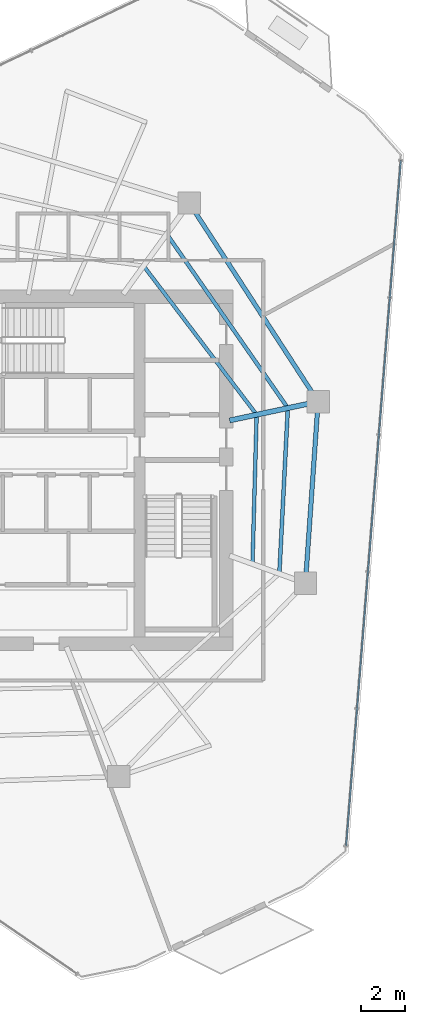
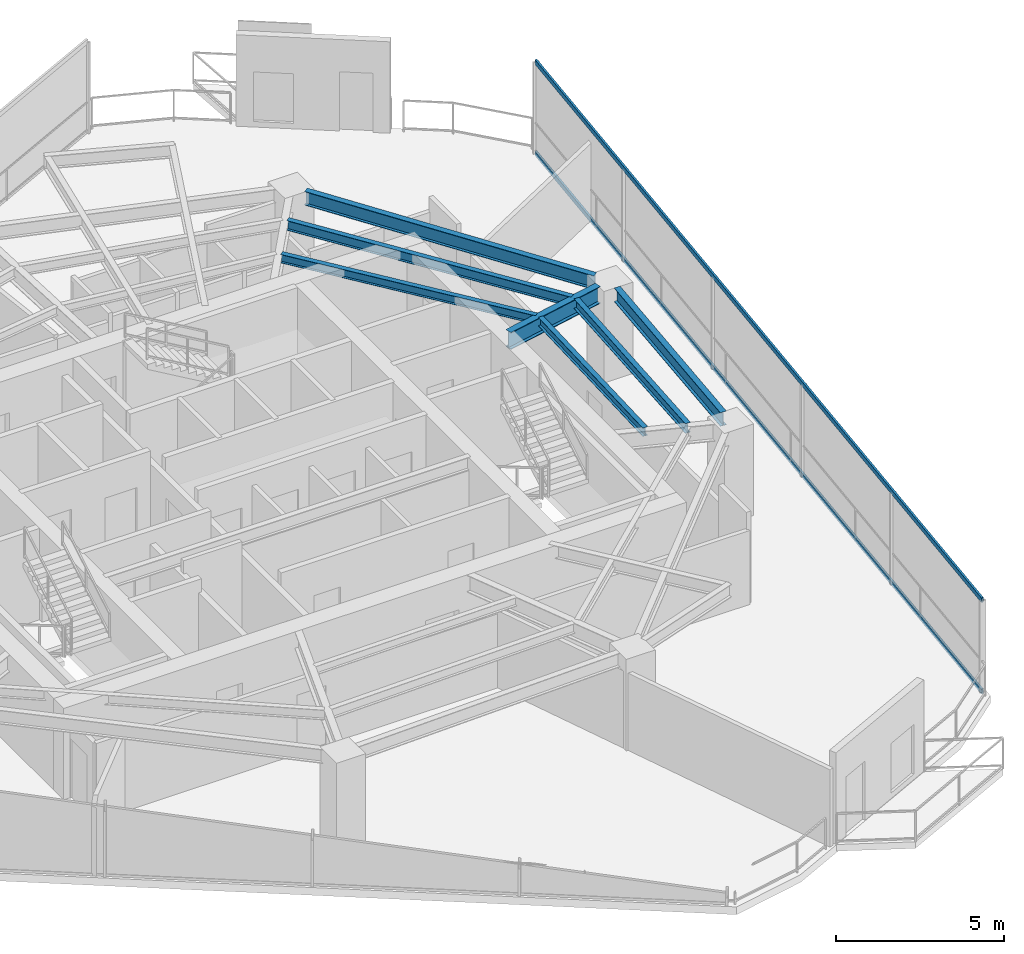
# One storey, part 10 of 21: 7 beams, 2 members, 1 element without a shape of its own.
"""IFC4 building model written with IfcOpenShell, lengths in metres."""

import ifcopenshell
import ifcopenshell.guid

model = None  # the IFC model being written
_history = None  # IfcOwnerHistory: only IFC2X3 demands one
_inside = {}  # id of a spatial element -> (the spatial element, [elements in it])
_under = {}  # id of a project, library or spatial element -> (it, [spatial elements below it])
_declared = {}  # id of a project -> (the project, [libraries it declares])
_typed = {}  # id of a type object -> (the type object, [elements of that type])
_made_of = {}  # id of a material, layer set ... -> (it, [elements and type objects made of it])


def new_model(schema):
    """Start an empty IFC model of exactly this schema.

    Asked for "IFC4X3", IfcOpenShell would pick the latest addendum, in which some entities
    have other attributes; the version numbers below select the first issue.
    IFC2X3 requires an IfcOwnerHistory on every rooted entity: one is made here for all.
    """
    global model, _history
    if schema == "IFC4X3":
        model = ifcopenshell.file(schema_version=(4, 3, 0, 0))
    else:
        model = ifcopenshell.file(schema=schema)
    _inside.clear()
    _under.clear()
    _declared.clear()
    _typed.clear()
    _made_of.clear()
    _history = None
    if model.schema == "IFC2X3":
        org = make("IfcOrganization", Name="unknown")
        user = make(
            "IfcPersonAndOrganization",
            ThePerson=make("IfcPerson", FamilyName="unknown"),
            TheOrganization=org,
        )
        app = make(
            "IfcApplication",
            ApplicationDeveloper=org,
            Version="unknown",
            ApplicationFullName="unknown",
            ApplicationIdentifier="unknown",
        )
        _history = make(
            "IfcOwnerHistory",
            OwningUser=user,
            OwningApplication=app,
            ChangeAction="ADDED",
            CreationDate=0,
        )
    return model


def make(cls, **values):
    """One entity of the class cls with the attributes given. An attribute that is None is left unset."""
    return model.create_entity(
        cls, **{name: value for name, value in values.items() if value is not None}
    )


def rooted(cls, **values):
    """An entity with a GlobalId (a new one), such as an element, a storey or a relation."""
    return make(cls, GlobalId=ifcopenshell.guid.new(), OwnerHistory=_history, **values)


def si_unit(unit_type, name, prefix=None):
    """IfcSIUnit, for example si_unit("LENGTHUNIT", "METRE", prefix="MILLI")."""
    return make("IfcSIUnit", UnitType=unit_type, Prefix=prefix, Name=name)


def assignment(units):
    """IfcUnitAssignment: the units of a project."""
    return None if units is None else make("IfcUnitAssignment", Units=units)


def point(xyz):
    """IfcCartesianPoint."""
    return None if xyz is None else make("IfcCartesianPoint", Coordinates=xyz)


def direction(xyz):
    """IfcDirection."""
    return None if xyz is None else make("IfcDirection", DirectionRatios=xyz)


def frame(location, z_axis=None, x_axis=None):
    """IfcAxis2Placement3D, a coordinate frame: its origin and axes. An axis left out is left unset."""
    return make(
        "IfcAxis2Placement3D",
        Location=point(location),
        Axis=direction(z_axis),
        RefDirection=direction(x_axis),
    )


def frame_2d(location, x_axis=None):
    """IfcAxis2Placement2D, a coordinate frame in the plane: its origin and x axis."""
    return make(
        "IfcAxis2Placement2D", Location=point(location), RefDirection=direction(x_axis)
    )


def origin():
    """The frame at (0, 0, 0) with its axes left unset."""
    return frame((0.0, 0.0, 0.0))


def origin_2d():
    """The frame at (0, 0) in the plane with its x axis left unset."""
    return frame_2d((0.0, 0.0))


def place(relative_to, where):
    """IfcLocalPlacement: puts the frame where relative to a parent placement (None: the world)."""
    return make(
        "IfcLocalPlacement", PlacementRelTo=relative_to, RelativePlacement=where
    )


def context(
    kind, dimensions, precision=None, world=None, true_north=None, identifier=None
):
    """IfcGeometricRepresentationContext, for example the 3D "Model" context."""
    return make(
        "IfcGeometricRepresentationContext",
        ContextIdentifier=identifier,
        ContextType=kind,
        CoordinateSpaceDimension=dimensions,
        Precision=precision,
        WorldCoordinateSystem=world,
        TrueNorth=true_north,
    )


def subcontext(parent, identifier, kind, view, scale=None):
    """IfcGeometricRepresentationSubContext, for example "Body" below "Model"."""
    return make(
        "IfcGeometricRepresentationSubContext",
        ContextIdentifier=identifier,
        ContextType=kind,
        ParentContext=parent,
        TargetScale=scale,
        TargetView=view,
    )


def project(units=None, contexts=None):
    """IfcProject with its units and contexts."""
    return rooted(
        "IfcProject",
        Name="project",
        RepresentationContexts=contexts,
        UnitsInContext=assignment(units),
    )


def spatial(cls, under=None, at=None, **own):
    """A site, building, storey or space (cls), placed at a placement, below another one or the project."""
    s = rooted(cls, ObjectPlacement=at, **own)
    if under is not None:
        _under.setdefault(under.id(), (under, []))[1].append(s)
    return s


def profile(cls, at=None, kind="AREA", **sizes):
    """A parametric profile (cls). Its sizes go by their IFC names, for example OverallWidth=200.0."""
    return make(cls, ProfileType=kind, Position=at, **sizes)


def hollow_rectangle(**sizes):
    """IfcRectangleHollowProfileDef."""
    return profile("IfcRectangleHollowProfileDef", **sizes)


def i_section(**sizes):
    """IfcIShapeProfileDef."""
    return profile("IfcIShapeProfileDef", **sizes)


def extrude(swept, where, along, depth):
    """IfcExtrudedAreaSolid: the profile swept, set in the frame where, extruded along a direction by depth."""
    return make(
        "IfcExtrudedAreaSolid",
        SweptArea=swept,
        Position=where,
        ExtrudedDirection=direction(along),
        Depth=depth,
    )


def shape(context_of_items, identifier, shape_type, items):
    """IfcShapeRepresentation: the items that make up one representation, for example the "Body"."""
    return make(
        "IfcShapeRepresentation",
        ContextOfItems=context_of_items,
        RepresentationIdentifier=identifier,
        RepresentationType=shape_type,
        Items=items,
    )


def material(Name=None, Category=None):
    """IfcMaterial."""
    return make("IfcMaterial", Name=Name, Category=Category)


def layer(
    of_material, thickness, ventilated=None, Name=None, Category=None, Priority=None
):
    """IfcMaterialLayer: one layer of a wall or slab, of a material (None: an air gap)."""
    return make(
        "IfcMaterialLayer",
        Material=of_material,
        LayerThickness=thickness,
        IsVentilated=ventilated,
        Name=Name,
        Category=Category,
        Priority=Priority,
    )


def layer_set(layers, Name=None):
    """IfcMaterialLayerSet."""
    return make("IfcMaterialLayerSet", MaterialLayers=layers, LayerSetName=Name)


def material_profile(
    of_material, cross_section, Name=None, Category=None, Priority=None
):
    """IfcMaterialProfile: a cross section and its material."""
    return make(
        "IfcMaterialProfile",
        Name=Name,
        Material=of_material,
        Profile=cross_section,
        Priority=Priority,
        Category=Category,
    )


def profile_set(profiles, Name=None, composite=None):
    """IfcMaterialProfileSet."""
    return make(
        "IfcMaterialProfileSet",
        Name=Name,
        MaterialProfiles=profiles,
        CompositeProfile=composite,
    )


def made_of(thing, what):
    """Note that an element or type object is made of a material, layer set ...; save() writes the relation."""
    if what is not None:
        _made_of.setdefault(what.id(), (what, []))[1].append(thing)
    return thing


def type_object(cls, material=None, **own):
    """A type object (cls), such as IfcWallType, which elements share."""
    return made_of(rooted(cls, **own), material)


def element(
    cls,
    number,
    at=None,
    inside=None,
    cuts=None,
    type_object=None,
    material=None,
    context=None,
    identifier="Body",
    shape_type=None,
    held_by="IfcProductDefinitionShape",
    body=None,
    shapes=None,
    **own,
):
    """One element of the class cls, such as IfcWall. Its Tag is "e" and its number.

    at: its placement. inside: the storey or other place that contains it. cuts: it is an
    opening in that element (IfcRelVoidsElement). A single representation is given by context,
    identifier, shape_type and body (its items); several are given by shapes. held_by: the class
    of the entity that holds the representations. save() writes the other relations.
    """
    e = rooted(cls, Tag="e%d" % number, ObjectPlacement=at, **own)
    if body is not None:
        shapes = [shape(context, identifier, shape_type, body)]
    if shapes is not None:
        e.Representation = make(held_by, Representations=shapes)
    if inside is not None:
        _inside.setdefault(inside.id(), (inside, []))[1].append(e)
    if cuts is not None:
        rooted(
            "IfcRelVoidsElement", RelatingBuildingElement=cuts, RelatedOpeningElement=e
        )
    if type_object is not None:
        _typed.setdefault(type_object.id(), (type_object, []))[1].append(e)
    return made_of(e, material)


def aggregate(whole, parts):
    """IfcRelAggregates: a whole, such as a stair, and the parts it consists of."""
    return rooted("IfcRelAggregates", RelatingObject=whole, RelatedObjects=parts)


def save(model, path):
    """Write the relations noted so far, then the file.

    IfcRelAggregates (storeys below a building ...), IfcRelContainedInSpatialStructure (elements
    in a storey), IfcRelDefinesByType, IfcRelAssociatesMaterial and IfcRelDeclares: one each for
    every whole, place, type object, material and project.
    """
    for whole, parts in _under.values():
        aggregate(whole, parts)
    for where, things in _inside.values():
        rooted(
            "IfcRelContainedInSpatialStructure",
            RelatedElements=things,
            RelatingStructure=where,
        )
    for kind, things in _typed.values():
        rooted("IfcRelDefinesByType", RelatedObjects=things, RelatingType=kind)
    for what, things in _made_of.values():
        rooted("IfcRelAssociatesMaterial", RelatedObjects=things, RelatingMaterial=what)
    for by, libraries in _declared.values():
        rooted("IfcRelDeclares", RelatingContext=by, RelatedDefinitions=libraries)
    model.write(path)


model = new_model("IFC4")

# Units and contexts
model_context = context("Model", 3, precision=1e-05, world=origin(), true_north=direction((0.0, 1.0)))
body_context = subcontext(model_context, "Body", "Model", "MODEL_VIEW")
ifc_project = project(units=[si_unit("LENGTHUNIT", "METRE"), si_unit("AREAUNIT", "SQUARE_METRE"), si_unit("VOLUMEUNIT", "CUBIC_METRE"), si_unit("PLANEANGLEUNIT", "RADIAN"), si_unit("MASSUNIT", "GRAM", prefix="KILO")], contexts=[model_context])

# Site, building, storey
site_placement = place(None, origin())
site = spatial("IfcSite", under=ifc_project, at=site_placement, CompositionType="ELEMENT")
building_placement = place(site_placement, origin())
building = spatial("IfcBuilding", under=site, at=building_placement, Name="Qarnah Convention Tower", CompositionType="ELEMENT")
storey_placement = place(building_placement, frame((0.0, 0.0, 161.699951171875)))
storey = spatial("IfcBuildingStorey", under=building, at=storey_placement, Name="L43", CompositionType="ELEMENT", Elevation=161.699951171875)

# Beams
ifc_material_1 = material(Name="Structural steel S355JR", Category="steel")
ifc_material_profile_1 = material_profile(ifc_material_1, i_section(OverallWidth=0.166015625, OverallDepth=0.31201171875, WebThickness=0.007080078125, FlangeThickness=0.010986328125, at=origin_2d()), Name="W310X45")
ifc_profile_set_1 = profile_set([ifc_material_profile_1], Name="Structural steel S355JR")
beam_type_1 = type_object("IfcBeamType", Name="BM-JST-W310", PredefinedType="JOIST", material=ifc_profile_set_1)
beam_1_placement = place(storey_placement, frame((48.906982421875, 28.970947265625, 3.1640625), z_axis=(-0.605046386024, 0.796190222723, 0.0), x_axis=(-0.796190222723, -0.605046386024, 0.0)))
element("IfcBeam", 1, at=beam_1_placement, inside=storey, type_object=beam_type_1, Name="L43 joist BM-L43-IJST-01", PredefinedType="JOIST", context=body_context, shape_type="SweptSolid", body=[
    extrude(i_section(OverallWidth=0.166015625, OverallDepth=0.31201171875, WebThickness=0.007080078125, FlangeThickness=0.010986328125, at=origin_2d()), origin(), (0.0, 0.0, 1.0), 8.224365234375),
])
beam_2_placement = place(storey_placement, frame((48.77587890625, 22.278076171875, 3.1640625), z_axis=(0.027875970867, 0.999611389615, 0.0), x_axis=(-0.999611389615, 0.027875970867, 0.0)))
element("IfcBeam", 2, at=beam_2_placement, inside=storey, type_object=beam_type_1, Name="L43 joist BM-L43-IJST-09", PredefinedType="JOIST", context=body_context, shape_type="SweptSolid", body=[
    extrude(i_section(OverallWidth=0.166015625, OverallDepth=0.31201171875, WebThickness=0.007080078125, FlangeThickness=0.010986328125, at=origin_2d()), origin(), (0.0, 0.0, 1.0), 6.533447265625),
])
ifc_material_profile_2 = material_profile(ifc_material_1, i_section(OverallWidth=0.172119140625, OverallDepth=0.35595703125, WebThickness=0.007080078125, FlangeThickness=0.011962890625, at=origin_2d()), Name="W360X51")
ifc_profile_set_2 = profile_set([ifc_material_profile_2], Name="Structural steel S355JR")
beam_type_2 = type_object("IfcBeamType", Name="BM-JST-W360", PredefinedType="JOIST", material=ifc_profile_set_2)
beam_3_placement = place(storey_placement, frame((50.31298828125, 29.27197265625, 3.14208984375), z_axis=(-0.571244196533, 0.820780158098, 0.0), x_axis=(-0.820780158098, -0.571244196533, 0.0)))
element("IfcBeam", 3, at=beam_3_placement, inside=storey, type_object=beam_type_2, Name="L43 joist BM-L43-SJST-01", PredefinedType="JOIST", context=body_context, shape_type="SweptSolid", body=[
    extrude(i_section(OverallWidth=0.172119140625, OverallDepth=0.35595703125, WebThickness=0.007080078125, FlangeThickness=0.011962890625, at=origin_2d()), origin(), (0.0, 0.0, 1.0), 9.353271484375),
])
beam_4_placement = place(storey_placement, frame((49.986083984375, 21.837890625, 3.14208984375), z_axis=(0.051212178911, 0.998687795425, 0.0), x_axis=(-0.998687795425, 0.051212178911, 0.0)))
element("IfcBeam", 4, at=beam_4_placement, inside=storey, type_object=beam_type_2, Name="L43 joist BM-L43-SJST-09", PredefinedType="JOIST", context=body_context, shape_type="SweptSolid", body=[
    extrude(i_section(OverallWidth=0.172119140625, OverallDepth=0.35595703125, WebThickness=0.007080078125, FlangeThickness=0.011962890625, at=origin_2d()), origin(), (0.0, 0.0, 1.0), 7.279541015625),
])
ifc_material_profile_3 = material_profile(ifc_material_1, i_section(OverallWidth=0.22998046875, OverallDepth=0.617919921875, WebThickness=0.012939453125, FlangeThickness=0.02197265625, at=origin_2d()), Name="W610X140")
ifc_profile_set_3 = profile_set([ifc_material_profile_3], Name="Structural steel S355JR")
beam_type_3 = type_object("IfcBeamType", Name="BM-RAD-W610A", PredefinedType="BEAM", material=ifc_profile_set_3)
beam_5_placement = place(storey_placement, frame((47.7470703125, 28.64111328125, 3.010986328125), z_axis=(0.978133929389, 0.207975999045, 0.0), x_axis=(-0.207975999045, 0.978133929389, 0.0)))
element("IfcBeam", 5, at=beam_5_placement, inside=storey, type_object=beam_type_3, Name="L43 beam BM-L43-RAD-01", PredefinedType="BEAM", context=body_context, shape_type="SweptSolid", body=[
    extrude(i_section(OverallWidth=0.22998046875, OverallDepth=0.617919921875, WebThickness=0.012939453125, FlangeThickness=0.02197265625, at=origin_2d()), origin(), (0.0, 0.0, 1.0), 3.586181640625),
])
ifc_material_profile_4 = material_profile(ifc_material_1, i_section(OverallWidth=0.199951171875, OverallDepth=0.5, WebThickness=0.010009765625, FlangeThickness=0.01611328125, at=origin_2d()), Name="IPE500")
ifc_profile_set_4 = profile_set([ifc_material_profile_4], Name="Structural steel S355JR")
beam_type_4 = type_object("IfcBeamType", Name="BM-SPN-IPE500", PredefinedType="SPANDREL", material=ifc_profile_set_4)
beam_6_placement = place(storey_placement, frame((51.4580078125, 29.89794921875, 3.070068359375), z_axis=(-0.544531816504, 0.838740186717, 0.0), x_axis=(-0.838740186717, -0.544531816504, 0.0)))
element("IfcBeam", 6, at=beam_6_placement, inside=storey, type_object=beam_type_4, Name="L43 spandrel BM-L43-SPN-01", PredefinedType="SPANDREL", context=body_context, shape_type="SweptSolid", body=[
    extrude(i_section(OverallWidth=0.199951171875, OverallDepth=0.5, WebThickness=0.010009765625, FlangeThickness=0.01611328125, at=origin_2d()), origin(), (0.0, 0.0, 1.0), 9.663330078125),
])
beam_7_placement = place(storey_placement, frame((51.18798828125, 21.81005859375, 3.070068359375), z_axis=(0.069797433651, 0.997561185219, 0.0), x_axis=(-0.997561185219, 0.069797433651, 0.0)))
element("IfcBeam", 7, at=beam_7_placement, inside=storey, type_object=beam_type_4, Name="L43 spandrel BM-L43-SPN-09", PredefinedType="SPANDREL", context=body_context, shape_type="SweptSolid", body=[
    extrude(i_section(OverallWidth=0.199951171875, OverallDepth=0.5, WebThickness=0.010009765625, FlangeThickness=0.01611328125, at=origin_2d()), origin(), (0.0, 0.0, 1.0), 7.20556640625),
])

# Curtain wall, members
ifc_material_2 = material(Name="Tempered Low-E dark glass", Category="glass")
ifc_layer = layer(ifc_material_2, 0.172119140625)
ifc_layer_set = layer_set([ifc_layer], Name="Tempered Low-E dark glass")
curtain_wall_type = type_object("IfcCurtainWallType", Name="CWS-03", PredefinedType="NOTDEFINED", material=ifc_layer_set)
curtain_wall_placement = place(storey_placement, origin())
curtain_wall = element("IfcCurtainWall", 8, at=curtain_wall_placement, inside=storey, type_object=curtain_wall_type, Name="L43 unitised curtain wall CW-L43-F1", PredefinedType="NOTDEFINED")
ifc_material_3 = material(Name="Black anodised aluminium", Category="aluminium")
ifc_material_profile_5 = material_profile(ifc_material_3, hollow_rectangle(XDim=0.070068359375, YDim=0.169921875, WallThickness=0.0048828125, at=origin_2d()), Name="TRN-70X170")
ifc_profile_set_5 = profile_set([ifc_material_profile_5], Name="Black anodised aluminium")
member_type = type_object("IfcMemberType", Name="TRN-T3", PredefinedType="USERDEFINED", material=ifc_profile_set_5)
member_1_placement = place(storey_placement, frame((55.443115234375, 40.333984375, 0.0), z_axis=(-0.079554130742, -0.996830547426, 0.0), x_axis=(0.996830547426, -0.079554130742, 0.0)))
member_1 = element("IfcMember", 9, at=member_1_placement, type_object=member_type, Name="CW-L43-F1 transom 1", ObjectType="TRANSOM", PredefinedType="USERDEFINED", context=body_context, shape_type="SweptSolid", body=[
    extrude(hollow_rectangle(XDim=0.070068359375, YDim=0.169921875, WallThickness=0.0048828125, at=origin_2d()), origin(), (0.0, 0.0, 1.0), 30.9248046875),
])
member_2_placement = place(storey_placement, frame((55.443115234375, 40.333984375, 3.320068359375), z_axis=(-0.079554130742, -0.996830547426, 0.0), x_axis=(0.996830547426, -0.079554130742, 0.0)))
member_2 = element("IfcMember", 10, at=member_2_placement, type_object=member_type, Name="CW-L43-F1 transom 2", ObjectType="TRANSOM", PredefinedType="USERDEFINED", context=body_context, shape_type="SweptSolid", body=[
    extrude(hollow_rectangle(XDim=0.070068359375, YDim=0.169921875, WallThickness=0.0048828125, at=origin_2d()), origin(), (0.0, 0.0, 1.0), 30.9248046875),
])
aggregate(curtain_wall, [member_1, member_2])

save(model, "model.ifc")
